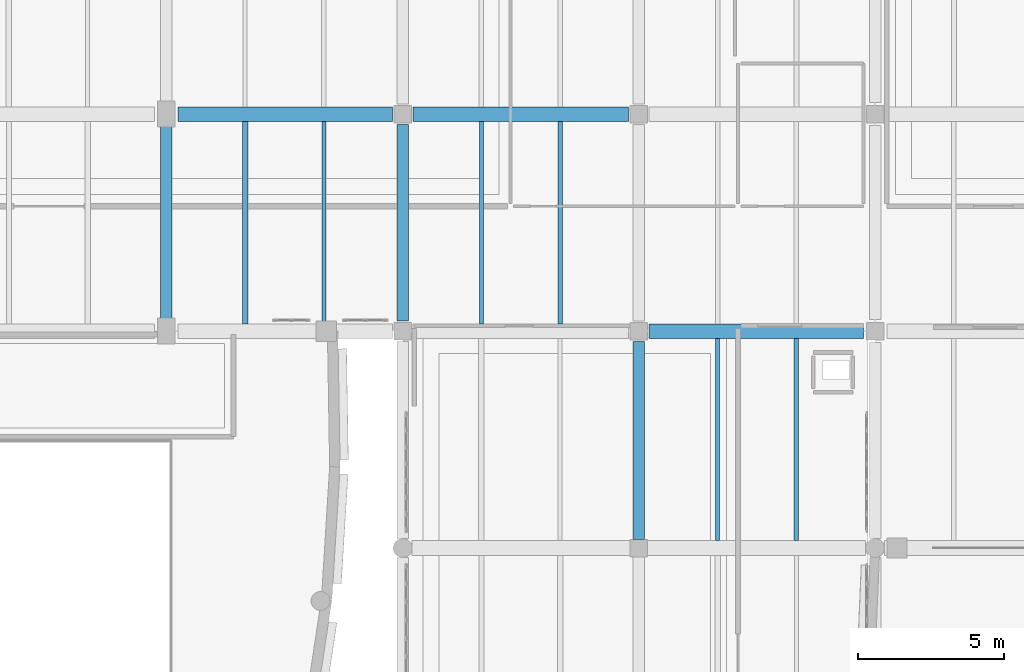
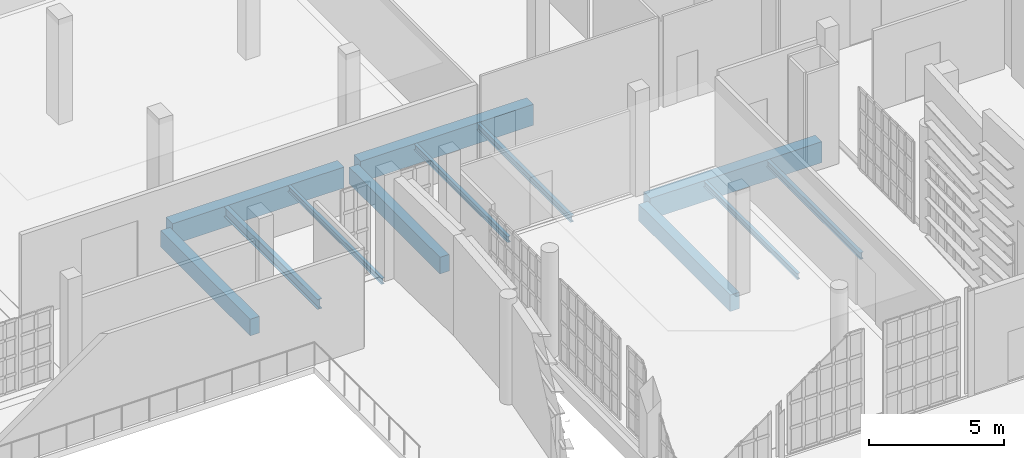
# One storey, part 43 of 104: 12 beams.
"""IFC4 building model written with IfcOpenShell, lengths in metres."""

import ifcopenshell
import ifcopenshell.guid

model = None  # the IFC model being written
_history = None  # IfcOwnerHistory: only IFC2X3 demands one
_inside = {}  # id of a spatial element -> (the spatial element, [elements in it])
_under = {}  # id of a project, library or spatial element -> (it, [spatial elements below it])
_declared = {}  # id of a project -> (the project, [libraries it declares])
_typed = {}  # id of a type object -> (the type object, [elements of that type])
_made_of = {}  # id of a material, layer set ... -> (it, [elements and type objects made of it])


def new_model(schema):
    """Start an empty IFC model of exactly this schema.

    Asked for "IFC4X3", IfcOpenShell would pick the latest addendum, in which some entities
    have other attributes; the version numbers below select the first issue.
    IFC2X3 requires an IfcOwnerHistory on every rooted entity: one is made here for all.
    """
    global model, _history
    if schema == "IFC4X3":
        model = ifcopenshell.file(schema_version=(4, 3, 0, 0))
    else:
        model = ifcopenshell.file(schema=schema)
    _inside.clear()
    _under.clear()
    _declared.clear()
    _typed.clear()
    _made_of.clear()
    _history = None
    if model.schema == "IFC2X3":
        org = make("IfcOrganization", Name="unknown")
        user = make(
            "IfcPersonAndOrganization",
            ThePerson=make("IfcPerson", FamilyName="unknown"),
            TheOrganization=org,
        )
        app = make(
            "IfcApplication",
            ApplicationDeveloper=org,
            Version="unknown",
            ApplicationFullName="unknown",
            ApplicationIdentifier="unknown",
        )
        _history = make(
            "IfcOwnerHistory",
            OwningUser=user,
            OwningApplication=app,
            ChangeAction="ADDED",
            CreationDate=0,
        )
    return model


def make(cls, **values):
    """One entity of the class cls with the attributes given. An attribute that is None is left unset."""
    return model.create_entity(
        cls, **{name: value for name, value in values.items() if value is not None}
    )


def rooted(cls, **values):
    """An entity with a GlobalId (a new one), such as an element, a storey or a relation."""
    return make(cls, GlobalId=ifcopenshell.guid.new(), OwnerHistory=_history, **values)


def si_unit(unit_type, name, prefix=None):
    """IfcSIUnit, for example si_unit("LENGTHUNIT", "METRE", prefix="MILLI")."""
    return make("IfcSIUnit", UnitType=unit_type, Prefix=prefix, Name=name)


def assignment(units):
    """IfcUnitAssignment: the units of a project."""
    return None if units is None else make("IfcUnitAssignment", Units=units)


def point(xyz):
    """IfcCartesianPoint."""
    return None if xyz is None else make("IfcCartesianPoint", Coordinates=xyz)


def direction(xyz):
    """IfcDirection."""
    return None if xyz is None else make("IfcDirection", DirectionRatios=xyz)


def frame(location, z_axis=None, x_axis=None):
    """IfcAxis2Placement3D, a coordinate frame: its origin and axes. An axis left out is left unset."""
    return make(
        "IfcAxis2Placement3D",
        Location=point(location),
        Axis=direction(z_axis),
        RefDirection=direction(x_axis),
    )


def frame_2d(location, x_axis=None):
    """IfcAxis2Placement2D, a coordinate frame in the plane: its origin and x axis."""
    return make(
        "IfcAxis2Placement2D", Location=point(location), RefDirection=direction(x_axis)
    )


def origin():
    """The frame at (0, 0, 0) with its axes left unset."""
    return frame((0.0, 0.0, 0.0))


def origin_2d():
    """The frame at (0, 0) in the plane with its x axis left unset."""
    return frame_2d((0.0, 0.0))


def place(relative_to, where):
    """IfcLocalPlacement: puts the frame where relative to a parent placement (None: the world)."""
    return make(
        "IfcLocalPlacement", PlacementRelTo=relative_to, RelativePlacement=where
    )


def context(
    kind, dimensions, precision=None, world=None, true_north=None, identifier=None
):
    """IfcGeometricRepresentationContext, for example the 3D "Model" context."""
    return make(
        "IfcGeometricRepresentationContext",
        ContextIdentifier=identifier,
        ContextType=kind,
        CoordinateSpaceDimension=dimensions,
        Precision=precision,
        WorldCoordinateSystem=world,
        TrueNorth=true_north,
    )


def subcontext(parent, identifier, kind, view, scale=None):
    """IfcGeometricRepresentationSubContext, for example "Body" below "Model"."""
    return make(
        "IfcGeometricRepresentationSubContext",
        ContextIdentifier=identifier,
        ContextType=kind,
        ParentContext=parent,
        TargetScale=scale,
        TargetView=view,
    )


def project(units=None, contexts=None):
    """IfcProject with its units and contexts."""
    return rooted(
        "IfcProject",
        Name="project",
        RepresentationContexts=contexts,
        UnitsInContext=assignment(units),
    )


def spatial(cls, under=None, at=None, **own):
    """A site, building, storey or space (cls), placed at a placement, below another one or the project."""
    s = rooted(cls, ObjectPlacement=at, **own)
    if under is not None:
        _under.setdefault(under.id(), (under, []))[1].append(s)
    return s


def profile(cls, at=None, kind="AREA", **sizes):
    """A parametric profile (cls). Its sizes go by their IFC names, for example OverallWidth=200.0."""
    return make(cls, ProfileType=kind, Position=at, **sizes)


def rectangle(**sizes):
    """IfcRectangleProfileDef."""
    return profile("IfcRectangleProfileDef", **sizes)


def i_section(**sizes):
    """IfcIShapeProfileDef."""
    return profile("IfcIShapeProfileDef", **sizes)


def extrude(swept, where, along, depth):
    """IfcExtrudedAreaSolid: the profile swept, set in the frame where, extruded along a direction by depth."""
    return make(
        "IfcExtrudedAreaSolid",
        SweptArea=swept,
        Position=where,
        ExtrudedDirection=direction(along),
        Depth=depth,
    )


def shape(context_of_items, identifier, shape_type, items):
    """IfcShapeRepresentation: the items that make up one representation, for example the "Body"."""
    return make(
        "IfcShapeRepresentation",
        ContextOfItems=context_of_items,
        RepresentationIdentifier=identifier,
        RepresentationType=shape_type,
        Items=items,
    )


def material(Name=None, Category=None):
    """IfcMaterial."""
    return make("IfcMaterial", Name=Name, Category=Category)


def material_profile(
    of_material, cross_section, Name=None, Category=None, Priority=None
):
    """IfcMaterialProfile: a cross section and its material."""
    return make(
        "IfcMaterialProfile",
        Name=Name,
        Material=of_material,
        Profile=cross_section,
        Priority=Priority,
        Category=Category,
    )


def profile_set(profiles, Name=None, composite=None):
    """IfcMaterialProfileSet."""
    return make(
        "IfcMaterialProfileSet",
        Name=Name,
        MaterialProfiles=profiles,
        CompositeProfile=composite,
    )


def made_of(thing, what):
    """Note that an element or type object is made of a material, layer set ...; save() writes the relation."""
    if what is not None:
        _made_of.setdefault(what.id(), (what, []))[1].append(thing)
    return thing


def type_object(cls, material=None, **own):
    """A type object (cls), such as IfcWallType, which elements share."""
    return made_of(rooted(cls, **own), material)


def element(
    cls,
    number,
    at=None,
    inside=None,
    cuts=None,
    type_object=None,
    material=None,
    context=None,
    identifier="Body",
    shape_type=None,
    held_by="IfcProductDefinitionShape",
    body=None,
    shapes=None,
    **own,
):
    """One element of the class cls, such as IfcWall. Its Tag is "e" and its number.

    at: its placement. inside: the storey or other place that contains it. cuts: it is an
    opening in that element (IfcRelVoidsElement). A single representation is given by context,
    identifier, shape_type and body (its items); several are given by shapes. held_by: the class
    of the entity that holds the representations. save() writes the other relations.
    """
    e = rooted(cls, Tag="e%d" % number, ObjectPlacement=at, **own)
    if body is not None:
        shapes = [shape(context, identifier, shape_type, body)]
    if shapes is not None:
        e.Representation = make(held_by, Representations=shapes)
    if inside is not None:
        _inside.setdefault(inside.id(), (inside, []))[1].append(e)
    if cuts is not None:
        rooted(
            "IfcRelVoidsElement", RelatingBuildingElement=cuts, RelatedOpeningElement=e
        )
    if type_object is not None:
        _typed.setdefault(type_object.id(), (type_object, []))[1].append(e)
    return made_of(e, material)


def aggregate(whole, parts):
    """IfcRelAggregates: a whole, such as a stair, and the parts it consists of."""
    return rooted("IfcRelAggregates", RelatingObject=whole, RelatedObjects=parts)


def save(model, path):
    """Write the relations noted so far, then the file.

    IfcRelAggregates (storeys below a building ...), IfcRelContainedInSpatialStructure (elements
    in a storey), IfcRelDefinesByType, IfcRelAssociatesMaterial and IfcRelDeclares: one each for
    every whole, place, type object, material and project.
    """
    for whole, parts in _under.values():
        aggregate(whole, parts)
    for where, things in _inside.values():
        rooted(
            "IfcRelContainedInSpatialStructure",
            RelatedElements=things,
            RelatingStructure=where,
        )
    for kind, things in _typed.values():
        rooted("IfcRelDefinesByType", RelatedObjects=things, RelatingType=kind)
    for what, things in _made_of.values():
        rooted("IfcRelAssociatesMaterial", RelatedObjects=things, RelatingMaterial=what)
    for by, libraries in _declared.values():
        rooted("IfcRelDeclares", RelatingContext=by, RelatedDefinitions=libraries)
    model.write(path)


model = new_model("IFC4")

# Units and contexts
model_context = context("Model", 3, precision=1e-05, world=origin(), true_north=direction((0.0, 1.0)))
body_context = subcontext(model_context, "Body", "Model", "MODEL_VIEW")
ifc_project = project(units=[si_unit("LENGTHUNIT", "METRE"), si_unit("AREAUNIT", "SQUARE_METRE"), si_unit("VOLUMEUNIT", "CUBIC_METRE"), si_unit("PLANEANGLEUNIT", "RADIAN"), si_unit("MASSUNIT", "GRAM", prefix="KILO")], contexts=[model_context])

# Site, building, storey
site_placement = place(None, origin())
site = spatial("IfcSite", under=ifc_project, at=site_placement, CompositionType="ELEMENT")
building_placement = place(site_placement, origin())
building = spatial("IfcBuilding", under=site, at=building_placement, Name="Kaelora Sail Theatre", CompositionType="ELEMENT")
storey_placement = place(building_placement, frame((0.0, 0.0, 5.39990234375)))
storey = spatial("IfcBuildingStorey", under=building, at=storey_placement, Name="L01", CompositionType="ELEMENT", Elevation=5.39990234375)

# Beams
ifc_material_1 = material(Name="Steel S355", Category="steel")
ifc_material_profile_1 = material_profile(ifc_material_1, i_section(OverallWidth=0.18994140625, OverallDepth=0.449951171875, WebThickness=0.009521484375, FlangeThickness=0.0146484375, FilletRadius=0.02099609375, at=origin_2d()), Name="IPE 450")
ifc_profile_set_1 = profile_set([ifc_material_profile_1], Name="Steel S355")
beam_type_1 = type_object("IfcBeamType", Name="STR-BM-BM-IPE450", PredefinedType="BEAM", material=ifc_profile_set_1)
beam_1_placement = place(storey_placement, frame((101.39990234375, 61.27001953125, -0.52001953125), z_axis=(0.0, 1.0, 0.0), x_axis=(-1.0, 0.0, 0.0)))
element("IfcBeam", 1, at=beam_1_placement, inside=storey, type_object=beam_type_1, Name="Secondary floor joist 13/I-1 (L01)", PredefinedType="BEAM", context=body_context, shape_type="SweptSolid", body=[
    extrude(i_section(OverallWidth=0.18994140625, OverallDepth=0.449951171875, WebThickness=0.009521484375, FlangeThickness=0.0146484375, FilletRadius=0.02099609375, at=origin_2d()), origin(), (0.0, 0.0, 1.0), 6.93994140625),
])
ifc_material_2 = material(Name="Concrete C40/50", Category="concrete")
ifc_material_profile_2 = material_profile(ifc_material_2, rectangle(XDim=0.39990234375, YDim=0.75, at=origin_2d()), Name="RC-BM 400x750")
ifc_profile_set_2 = profile_set([ifc_material_profile_2], Name="Concrete C40/50")
beam_type_2 = type_object("IfcBeamType", Name="STR-BM-BM-RC4075", PredefinedType="BEAM", material=ifc_profile_set_2)
beam_2_placement = place(storey_placement, frame((98.699951171875, 61.419921875, -0.669921875), z_axis=(0.0, 1.0, 0.0), x_axis=(-1.0, 0.0, 0.0)))
element("IfcBeam", 2, at=beam_2_placement, inside=storey, type_object=beam_type_2, Name="Primary beam 13 I-J (L01)", PredefinedType="BEAM", context=body_context, shape_type="SweptSolid", body=[
    extrude(rectangle(XDim=0.39990234375, YDim=0.75, at=origin_2d()), origin(), (0.0, 0.0, 1.0), 6.64013671875),
])
beam_3_placement = place(storey_placement, frame((106.800048828125, 61.3701171875, -0.669921875), z_axis=(0.0, 1.0, 0.0), x_axis=(-1.0, 0.0, 0.0)))
element("IfcBeam", 3, at=beam_3_placement, inside=storey, type_object=beam_type_2, Name="Primary beam 14 I-J (L01)", PredefinedType="BEAM", context=body_context, shape_type="SweptSolid", body=[
    extrude(rectangle(XDim=0.39990234375, YDim=0.75, at=origin_2d()), origin(), (0.0, 0.0, 1.0), 6.739990234375),
])
beam_4_placement = place(storey_placement, frame((114.89990234375, 53.8798828125, -0.669921875), z_axis=(0.0, 1.0, 0.0), x_axis=(-1.0, 0.0, 0.0)))
element("IfcBeam", 4, at=beam_4_placement, inside=storey, type_object=beam_type_2, Name="Primary beam 15 H-I (L01)", PredefinedType="BEAM", context=body_context, shape_type="SweptSolid", body=[
    extrude(rectangle(XDim=0.39990234375, YDim=0.75, at=origin_2d()), origin(), (0.0, 0.0, 1.0), 6.7900390625),
])
ifc_material_3 = material(Name="Concrete C45/55", Category="concrete")
ifc_material_profile_3 = material_profile(ifc_material_3, rectangle(XDim=0.5, YDim=0.949951171875, at=origin_2d()), Name="RC-GRD 500x950")
ifc_profile_set_3 = profile_set([ifc_material_profile_3], Name="Concrete C45/55")
beam_type_3 = type_object("IfcBeamType", Name="STR-BM-GR-RC5095", PredefinedType="T_BEAM", material=ifc_profile_set_3)
beam_5_placement = place(storey_placement, frame((99.10009765625, 68.4599609375, -0.77001953125), z_axis=(1.0, 0.0, 0.0), x_axis=(0.0, 1.0, 0.0)))
element("IfcBeam", 5, at=beam_5_placement, inside=storey, type_object=beam_type_3, Name="Primary beam J 13-14 (L01)", PredefinedType="T_BEAM", context=body_context, shape_type="SweptSolid", body=[
    extrude(rectangle(XDim=0.5, YDim=0.949951171875, at=origin_2d()), origin(), (0.0, 0.0, 1.0), 7.349853515625),
])
beam_6_placement = place(storey_placement, frame((107.14990234375, 68.4599609375, -0.77001953125), z_axis=(1.0, 0.0, 0.0), x_axis=(0.0, 1.0, 0.0)))
element("IfcBeam", 6, at=beam_6_placement, inside=storey, type_object=beam_type_3, Name="Primary beam J 14-15 (L01)", PredefinedType="T_BEAM", context=body_context, shape_type="SweptSolid", body=[
    extrude(rectangle(XDim=0.5, YDim=0.949951171875, at=origin_2d()), origin(), (0.0, 0.0, 1.0), 7.400146484375),
])
beam_7_placement = place(storey_placement, frame((115.25, 61.02001953125, -0.77001953125), z_axis=(1.0, 0.0, 0.0), x_axis=(0.0, 1.0, 0.0)))
element("IfcBeam", 7, at=beam_7_placement, inside=storey, type_object=beam_type_3, Name="Primary beam I 15-16 (L01)", PredefinedType="T_BEAM", context=body_context, shape_type="SweptSolid", body=[
    extrude(rectangle(XDim=0.5, YDim=0.949951171875, at=origin_2d()), origin(), (0.0, 0.0, 1.0), 7.35009765625),
])
ifc_material_4 = material(Name="Steel S355", Category="steel")
ifc_material_profile_4 = material_profile(ifc_material_4, i_section(OverallWidth=0.135009765625, OverallDepth=0.27001953125, WebThickness=0.006591796875, FlangeThickness=0.01025390625, FilletRadius=0.014892578125, at=origin_2d()), Name="IPE 270")
ifc_profile_set_4 = profile_set([ifc_material_profile_4], Name="Steel S355")
beam_type_4 = type_object("IfcBeamType", Name="STR-BM-JS-IPE270", PredefinedType="JOIST", material=ifc_profile_set_4)
for number, where, z_axis, x_axis, name in (
    (8, (104.10009765625, 61.27001953125, -0.429931640625), (0.0, 1.0, 0.0), (-1.0, 0.0, 0.0), "Secondary floor joist 13/I-2 (L01)"),
    (9, (109.5, 61.27001953125, -0.429931640625), (0.0, 1.0, 0.0), (-1.0, 0.0, 0.0), "Secondary floor joist 14/I-1 (L01)"),
    (10, (117.60009765625, 53.830078125, -0.429931640625), (0.0, 1.0, 0.0), (-1.0, 0.0, 0.0), "Secondary floor joist 15/H-1 (L01)"),
):
    element("IfcBeam", number, at=place(storey_placement, frame(where, z_axis=z_axis, x_axis=x_axis)), inside=storey, type_object=beam_type_4, Name=name, PredefinedType="JOIST", context=body_context, shape_type="SweptSolid", body=[
        extrude(i_section(OverallWidth=0.135009765625, OverallDepth=0.27001953125, WebThickness=0.006591796875, FlangeThickness=0.01025390625, FilletRadius=0.014892578125, at=origin_2d()), origin(), (0.0, 0.0, 1.0), 6.93994140625),
    ])
ifc_material_5 = material(Name="Steel S355", Category="steel")
ifc_material_profile_5 = material_profile(ifc_material_5, i_section(OverallWidth=0.14990234375, OverallDepth=0.300048828125, WebThickness=0.007080078125, FlangeThickness=0.0107421875, FilletRadius=0.014892578125, at=origin_2d()), Name="IPE 300")
ifc_profile_set_5 = profile_set([ifc_material_profile_5], Name="Steel S355")
beam_type_5 = type_object("IfcBeamType", Name="STR-BM-JS-IPE300", PredefinedType="JOIST", material=ifc_profile_set_5)
for number, where, z_axis, x_axis, name in (
    (11, (112.199951171875, 61.27001953125, -0.44482421875), (0.0, 1.0, 0.0), (-1.0, 0.0, 0.0), "Secondary floor joist 14/I-2 (L01)"),
    (12, (120.300048828125, 53.830078125, -0.44482421875), (0.0, 1.0, 0.0), (-1.0, 0.0, 0.0), "Secondary floor joist 15/H-2 (L01)"),
):
    element("IfcBeam", number, at=place(storey_placement, frame(where, z_axis=z_axis, x_axis=x_axis)), inside=storey, type_object=beam_type_5, Name=name, PredefinedType="JOIST", context=body_context, shape_type="SweptSolid", body=[
        extrude(i_section(OverallWidth=0.14990234375, OverallDepth=0.300048828125, WebThickness=0.007080078125, FlangeThickness=0.0107421875, FilletRadius=0.014892578125, at=origin_2d()), origin(), (0.0, 0.0, 1.0), 6.93994140625),
    ])

save(model, "model.ifc")
